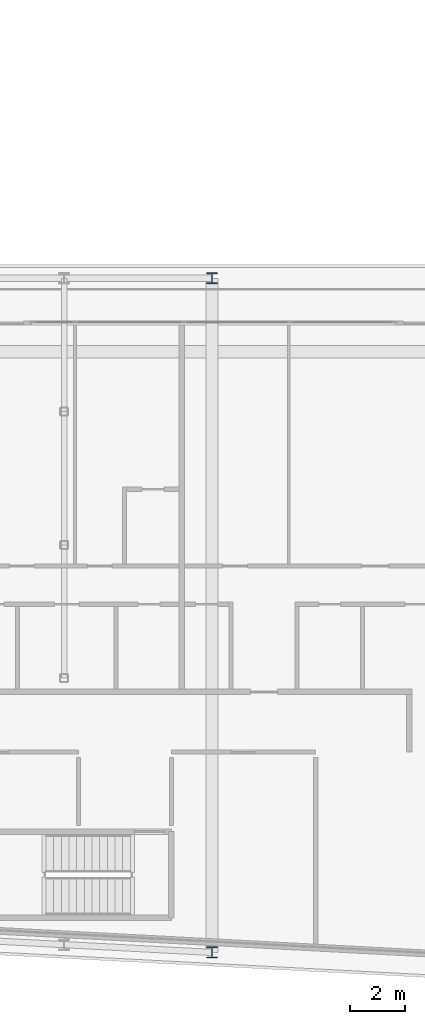
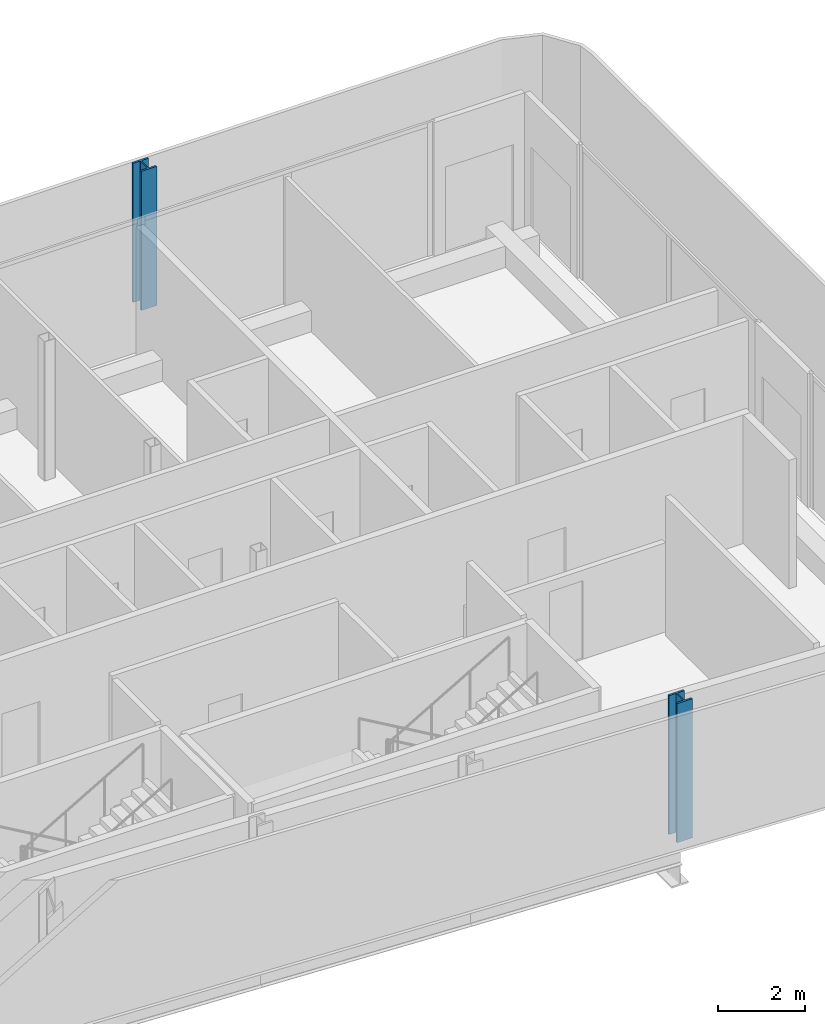
# One storey, part 4 of 29: 2 columns.
"""IFC4 building model written with IfcOpenShell, lengths in metres."""

from ifc_helpers import new_model, si_unit, direction, frame, origin, origin_2d, place, context, subcontext, project, spatial, i_section, extrude, material, material_profile, profile_set, type_object, element, save


model = new_model("IFC4")

# Units and contexts
model_context = context("Model", 3, precision=1e-05, world=origin(), true_north=direction((0.0, 1.0)))
body_context = subcontext(model_context, "Body", "Model", "MODEL_VIEW")
ifc_project = project(units=[si_unit("LENGTHUNIT", "METRE"), si_unit("AREAUNIT", "SQUARE_METRE"), si_unit("VOLUMEUNIT", "CUBIC_METRE"), si_unit("PLANEANGLEUNIT", "RADIAN"), si_unit("MASSUNIT", "GRAM", prefix="KILO")], contexts=[model_context])

# Site, building, storey
site_placement = place(None, origin())
site = spatial("IfcSite", under=ifc_project, at=site_placement, CompositionType="ELEMENT")
building_placement = place(site_placement, origin())
building = spatial("IfcBuilding", under=site, at=building_placement, Name="Kheshtan School and Residences Tower", CompositionType="ELEMENT")
storey_placement = place(building_placement, frame((0.0, 0.0, 179.89990234375)))
storey = spatial("IfcBuildingStorey", under=building, at=storey_placement, Name="L42", CompositionType="ELEMENT", Elevation=179.89990234375)

# Columns
ifc_material = material(Name="Steel ASTM A992 Grade 50", Category="steel")
ifc_material_profile = material_profile(ifc_material, i_section(OverallWidth=0.408935546875, OverallDepth=0.425048828125, WebThickness=0.03271484375, FlangeThickness=0.052490234375, FilletRadius=0.0126953125, at=origin_2d()), Name="W360x421")
ifc_profile_set = profile_set([ifc_material_profile], Name="Steel ASTM A992 Grade 50")
column_type = type_object("IfcColumnType", Name="Column C3 W360x421 ASTM A992 Grade 50", PredefinedType="COLUMN", material=ifc_profile_set)
for number, where, z_axis, x_axis, name in (
    (1, (90.800048828125, 20.989990234375, 0.0), (0.0, 0.0, 1.0), (1.0, 0.0, 0.0), "Column C006"),
    (2, (90.800048828125, 45.60009765625, 0.0), (0.0, 0.0, 1.0), (1.0, 0.0, 0.0), "Column C068"),
):
    element("IfcColumn", number, at=place(storey_placement, frame(where, z_axis=z_axis, x_axis=x_axis)), inside=storey, type_object=column_type, Name=name, PredefinedType="COLUMN", context=body_context, shape_type="SweptSolid", body=[
        extrude(i_section(OverallWidth=0.408935546875, OverallDepth=0.425048828125, WebThickness=0.03271484375, FlangeThickness=0.052490234375, FilletRadius=0.0126953125, at=origin_2d()), origin(), (0.0, 0.0, 1.0), 3.900146484375),
    ])

save(model, "model.ifc")
